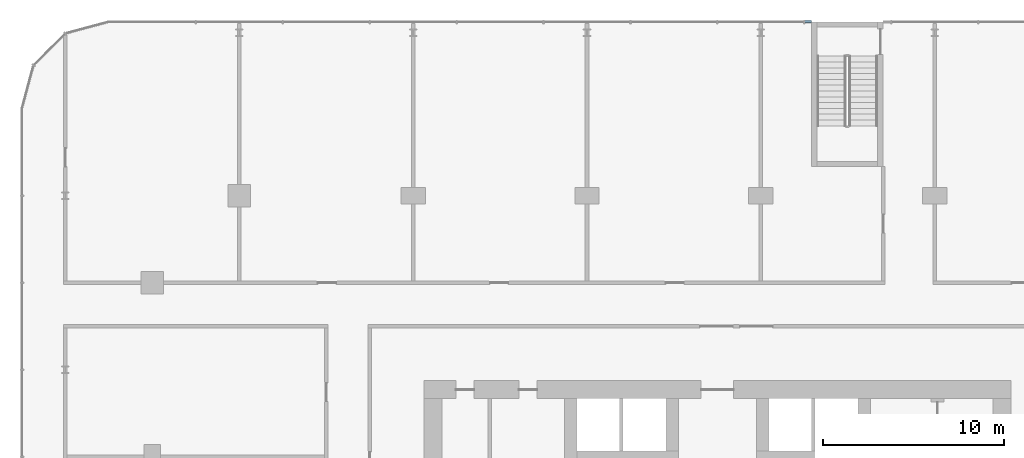
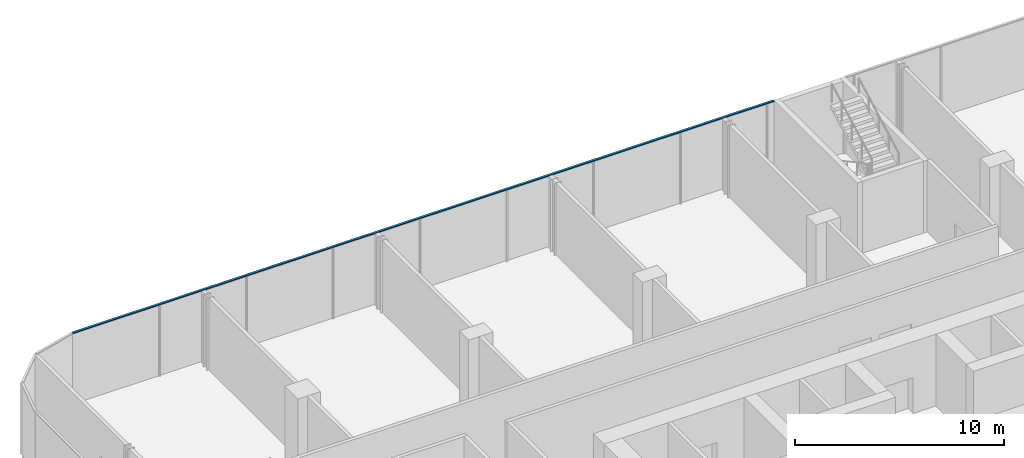
# One storey, part 16 of 43: 1 member, 1 element without a shape of its own.
"""IFC4 building model written with IfcOpenShell, lengths in metres."""

from ifc_helpers import new_model, si_unit, direction, frame, origin, origin_2d, place, context, subcontext, project, spatial, rectangle, extrude, material, layer, layer_set, material_profile, profile_set, type_object, element, aggregate, save


model = new_model("IFC4")

# Units and contexts
model_context = context("Model", 3, precision=1e-05, world=origin(), true_north=direction((0.0, 1.0)))
body_context = subcontext(model_context, "Body", "Model", "MODEL_VIEW")
ifc_project = project(units=[si_unit("LENGTHUNIT", "METRE"), si_unit("AREAUNIT", "SQUARE_METRE"), si_unit("VOLUMEUNIT", "CUBIC_METRE"), si_unit("PLANEANGLEUNIT", "RADIAN"), si_unit("MASSUNIT", "GRAM", prefix="KILO")], contexts=[model_context])

# Site, building, storey
site_placement = place(None, origin())
site = spatial("IfcSite", under=ifc_project, at=site_placement, CompositionType="ELEMENT")
building_placement = place(site_placement, origin())
building = spatial("IfcBuilding", under=site, at=building_placement, Name="Madar Terraces", CompositionType="ELEMENT")
storey_placement = place(building_placement, frame((0.0, 0.0, 10.5)))
storey = spatial("IfcBuildingStorey", under=building, at=storey_placement, Name="L02", CompositionType="ELEMENT", Elevation=10.5)

# Curtain wall, member
ifc_material_1 = material(Name="Glass, clear low-iron, with black aluminium frame", Category="aluminium")
ifc_layer = layer(ifc_material_1, 0.199951171875)
ifc_layer_set = layer_set([ifc_layer], Name="Facade curtain wall, shopfront glazing")
curtain_wall_type = type_object("IfcCurtainWallType", Name="Facade curtain wall, shopfront glazing", PredefinedType="NOTDEFINED", material=ifc_layer_set)
curtain_wall_placement = place(storey_placement, origin())
curtain_wall = element("IfcCurtainWall", 1, at=curtain_wall_placement, inside=storey, type_object=curtain_wall_type, Name="Outer skin curtain wall north bay 1", PredefinedType="NOTDEFINED")
ifc_material_2 = material(Name="Aluminium, black anodised", Category="aluminium")
ifc_material_profile = material_profile(ifc_material_2, rectangle(XDim=0.1201171875, YDim=0.06005859375, at=origin_2d()), Name="Facade transom 60x120")
ifc_profile_set = profile_set([ifc_material_profile], Name="Aluminium, black anodised")
member_type = type_object("IfcMemberType", Name="Facade transom 60x120", PredefinedType="USERDEFINED", material=ifc_profile_set)
member_placement = place(storey_placement, frame((36.39990234375, 57.60009765625, 4.169921875), z_axis=(-1.0, 0.0, 0.0), x_axis=(0.0, -1.0, 0.0)))
member = element("IfcMember", 2, at=member_placement, type_object=member_type, Name="Transom 2", ObjectType="TRANSOM", PredefinedType="USERDEFINED", context=body_context, shape_type="SweptSolid", body=[
    extrude(rectangle(XDim=0.1201171875, YDim=0.06005859375, at=origin_2d()), origin(), (0.0, 0.0, 1.0), 38.7998046875),
])
aggregate(curtain_wall, [member])

save(model, "model.ifc")
